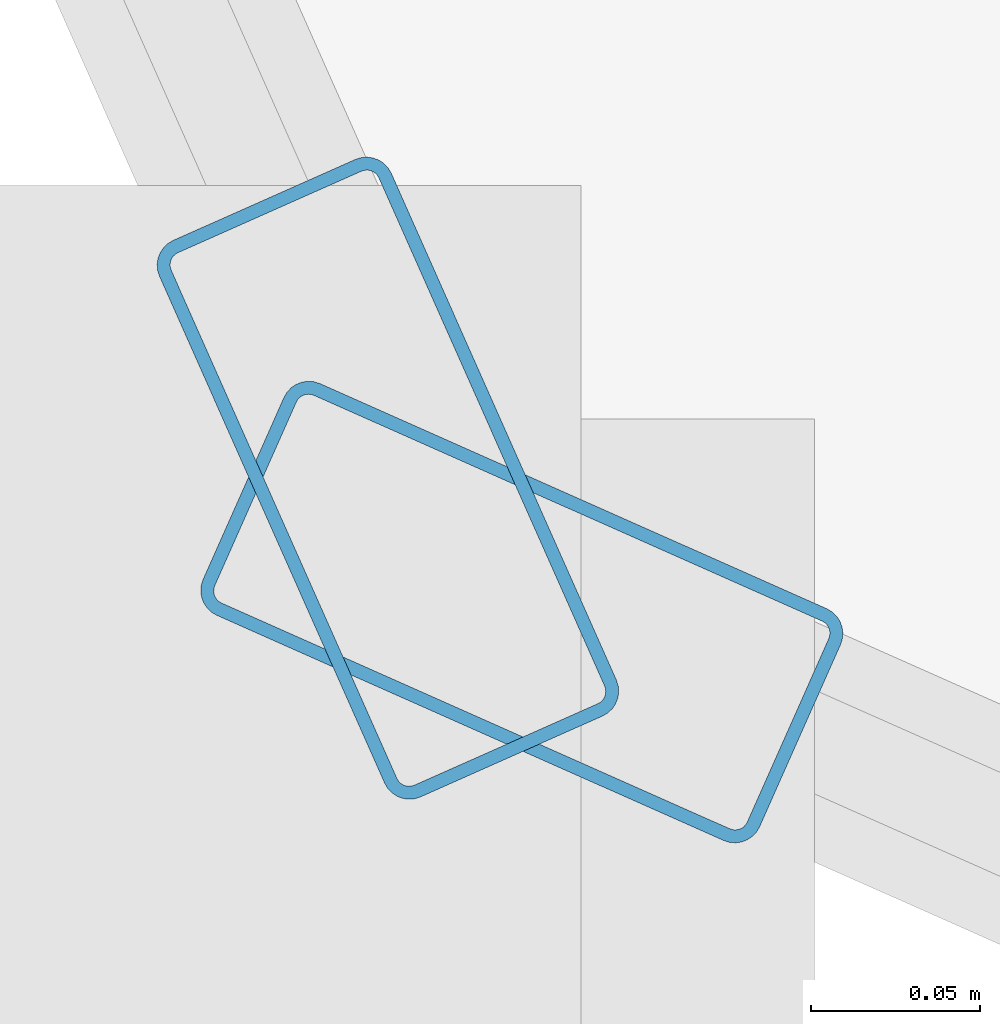
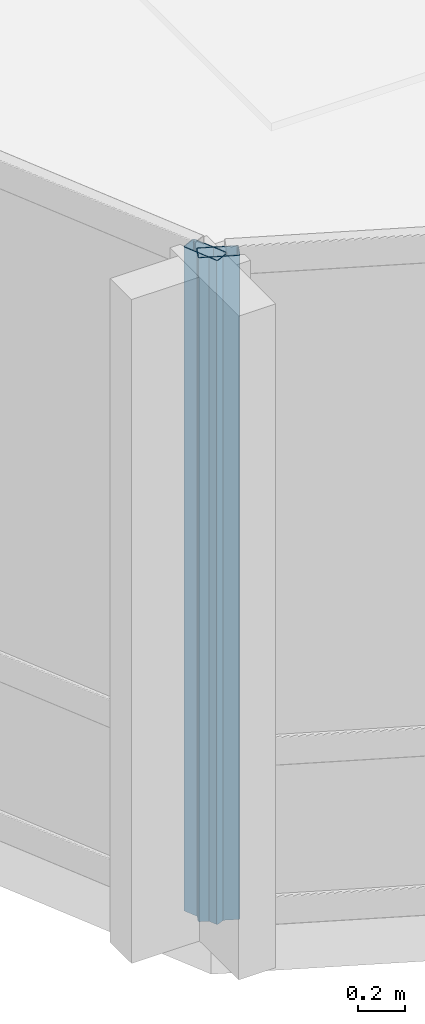
# One storey, part 2 of 29: 2 members, 2 elements without a shape of their own.
"""IFC4 building model written with IfcOpenShell, lengths in metres."""

from ifc_helpers import new_model, si_unit, direction, frame, origin, origin_2d, place, context, subcontext, project, spatial, hollow_rectangle, extrude, material, layer, layer_set, material_profile, profile_set, type_object, element, aggregate, save


model = new_model("IFC4")

# Units and contexts
model_context = context("Model", 3, precision=1e-05, world=origin(), true_north=direction((0.0, 1.0)))
body_context = subcontext(model_context, "Body", "Model", "MODEL_VIEW")
ifc_project = project(units=[si_unit("LENGTHUNIT", "METRE"), si_unit("AREAUNIT", "SQUARE_METRE"), si_unit("VOLUMEUNIT", "CUBIC_METRE"), si_unit("PLANEANGLEUNIT", "RADIAN"), si_unit("MASSUNIT", "GRAM", prefix="KILO")], contexts=[model_context])

# Site, building, storey
site_placement = place(None, origin())
site = spatial("IfcSite", under=ifc_project, at=site_placement, CompositionType="ELEMENT")
building_placement = place(site_placement, origin())
building = spatial("IfcBuilding", under=site, at=building_placement, Name="Solvaryn Broadcast Tower", CompositionType="ELEMENT")
storey_placement = place(building_placement, frame((0.0, 0.0, 117.39990234375)))
storey = spatial("IfcBuildingStorey", under=building, at=storey_placement, Name="L28", CompositionType="ELEMENT", Elevation=117.39990234375)

# Curtain wall, member
ifc_material_1 = material(Name="Aluminium and Terracotta Unitised Curtain Wall", Category="masonry")
ifc_layer_1 = layer(ifc_material_1, 0.239990234375)
ifc_layer_set_1 = layer_set([ifc_layer_1], Name="CW-SYS3-BAYBOX")
curtain_wall_type_1 = type_object("IfcCurtainWallType", Name="CW-SYS3-BAYBOX", PredefinedType="NOTDEFINED", material=ifc_layer_set_1)
curtain_wall_1_placement = place(storey_placement, origin())
curtain_wall_1 = element("IfcCurtainWall", 1, at=curtain_wall_1_placement, inside=storey, type_object=curtain_wall_type_1, Name="L28 Curtain Wall DR2", PredefinedType="NOTDEFINED")
ifc_material_2 = material(Name="Anodised Aluminium 6063-T6", Category="aluminium")
ifc_material_profile = material_profile(ifc_material_2, hollow_rectangle(XDim=0.074951171875, YDim=0.179931640625, WallThickness=0.00390625, InnerFilletRadius=0.00390625, OuterFilletRadius=0.008056640625, at=origin_2d()))
ifc_profile_set = profile_set([ifc_material_profile], Name="Anodised Aluminium 6063-T6")
member_type = type_object("IfcMemberType", Name="CW-MUL-180", PredefinedType="MULLION", material=ifc_profile_set)
member_1_placement = place(storey_placement, frame((8.895751953125, 8.935302734375, 0.0), z_axis=(0.0, 0.0, 1.0), x_axis=(0.913909311008, 0.405918429309, 0.0)))
member_1 = element("IfcMember", 2, at=member_1_placement, type_object=member_type, Name="CWS3 mullion 2", PredefinedType="MULLION", context=body_context, shape_type="SweptSolid", body=[
    extrude(hollow_rectangle(XDim=0.074951171875, YDim=0.179931640625, WallThickness=0.00390625, InnerFilletRadius=0.00390625, OuterFilletRadius=0.008056640625, at=origin_2d()), origin(), (0.0, 0.0, 1.0), 3.420166015625),
])
aggregate(curtain_wall_1, [member_1])

ifc_material_3 = material(Name="Aluminium and Terracotta Unitised Curtain Wall", Category="masonry")
ifc_layer_2 = layer(ifc_material_3, 0.199951171875)
ifc_layer_set_2 = layer_set([ifc_layer_2], Name="CW-SYS2-LOWMID")
curtain_wall_type_2 = type_object("IfcCurtainWallType", Name="CW-SYS2-LOWMID", PredefinedType="NOTDEFINED", material=ifc_layer_set_2)
curtain_wall_2_placement = place(storey_placement, origin())
curtain_wall_2 = element("IfcCurtainWall", 3, at=curtain_wall_2_placement, inside=storey, type_object=curtain_wall_type_2, Name="L28 Curtain Wall DR3", PredefinedType="NOTDEFINED")
member_2_placement = place(storey_placement, frame((8.935302734375, 8.895751953125, 0.0), z_axis=(0.0, 0.0, 1.0), x_axis=(0.405918429309, 0.913909311008, 0.0)))
member_2 = element("IfcMember", 4, at=member_2_placement, type_object=member_type, Name="CWS2 mullion 1", PredefinedType="MULLION", context=body_context, shape_type="SweptSolid", body=[
    extrude(hollow_rectangle(XDim=0.074951171875, YDim=0.179931640625, WallThickness=0.00390625, InnerFilletRadius=0.00390625, OuterFilletRadius=0.008056640625, at=origin_2d()), origin(), (0.0, 0.0, 1.0), 3.420166015625),
])
aggregate(curtain_wall_2, [member_2])

save(model, "model.ifc")
